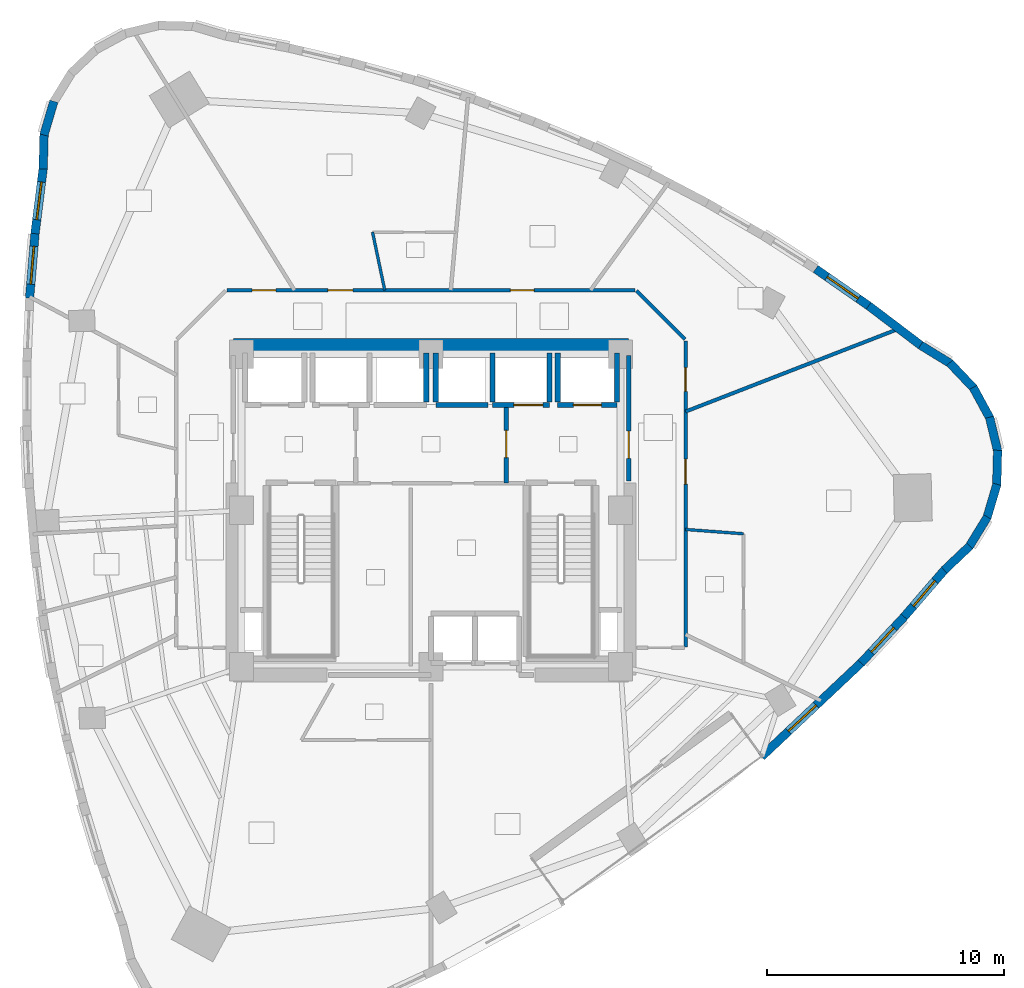
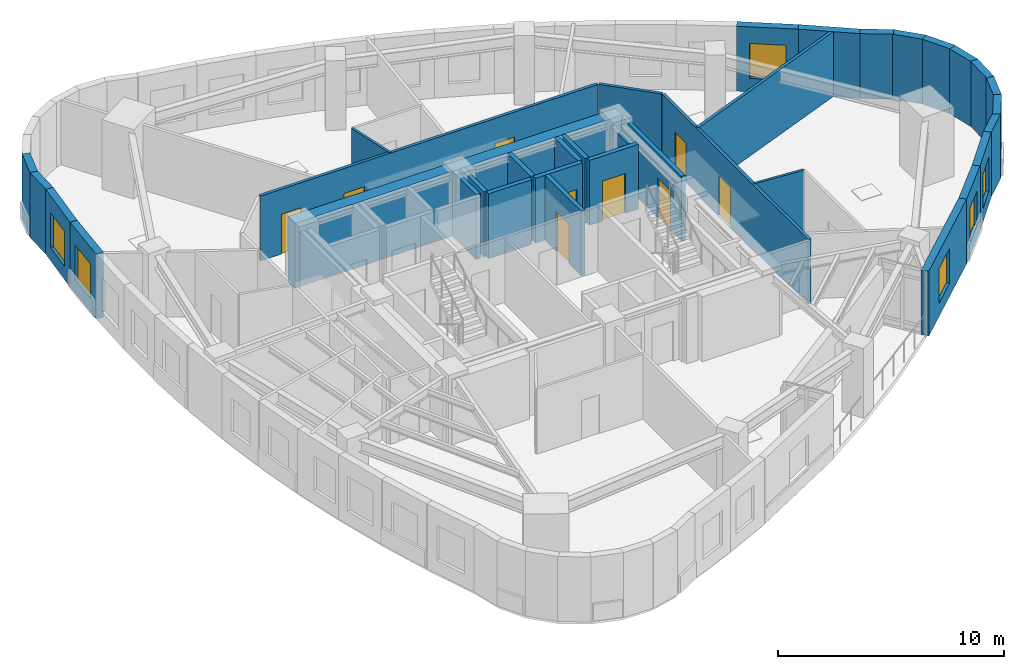
# One storey, part 7 of 11: 35 walls, 9 doors, 6 windows, 15 openings.
"""IFC4 building model written with IfcOpenShell, lengths in metres."""

import ifcopenshell
import ifcopenshell.guid

model = None  # the IFC model being written
_history = None  # IfcOwnerHistory: only IFC2X3 demands one
_inside = {}  # id of a spatial element -> (the spatial element, [elements in it])
_under = {}  # id of a project, library or spatial element -> (it, [spatial elements below it])
_declared = {}  # id of a project -> (the project, [libraries it declares])
_typed = {}  # id of a type object -> (the type object, [elements of that type])
_made_of = {}  # id of a material, layer set ... -> (it, [elements and type objects made of it])


def new_model(schema):
    """Start an empty IFC model of exactly this schema.

    Asked for "IFC4X3", IfcOpenShell would pick the latest addendum, in which some entities
    have other attributes; the version numbers below select the first issue.
    IFC2X3 requires an IfcOwnerHistory on every rooted entity: one is made here for all.
    """
    global model, _history
    if schema == "IFC4X3":
        model = ifcopenshell.file(schema_version=(4, 3, 0, 0))
    else:
        model = ifcopenshell.file(schema=schema)
    _inside.clear()
    _under.clear()
    _declared.clear()
    _typed.clear()
    _made_of.clear()
    _history = None
    if model.schema == "IFC2X3":
        org = make("IfcOrganization", Name="unknown")
        user = make(
            "IfcPersonAndOrganization",
            ThePerson=make("IfcPerson", FamilyName="unknown"),
            TheOrganization=org,
        )
        app = make(
            "IfcApplication",
            ApplicationDeveloper=org,
            Version="unknown",
            ApplicationFullName="unknown",
            ApplicationIdentifier="unknown",
        )
        _history = make(
            "IfcOwnerHistory",
            OwningUser=user,
            OwningApplication=app,
            ChangeAction="ADDED",
            CreationDate=0,
        )
    return model


def make(cls, **values):
    """One entity of the class cls with the attributes given. An attribute that is None is left unset."""
    return model.create_entity(
        cls, **{name: value for name, value in values.items() if value is not None}
    )


def rooted(cls, **values):
    """An entity with a GlobalId (a new one), such as an element, a storey or a relation."""
    return make(cls, GlobalId=ifcopenshell.guid.new(), OwnerHistory=_history, **values)


def si_unit(unit_type, name, prefix=None):
    """IfcSIUnit, for example si_unit("LENGTHUNIT", "METRE", prefix="MILLI")."""
    return make("IfcSIUnit", UnitType=unit_type, Prefix=prefix, Name=name)


def assignment(units):
    """IfcUnitAssignment: the units of a project."""
    return None if units is None else make("IfcUnitAssignment", Units=units)


def point(xyz):
    """IfcCartesianPoint."""
    return None if xyz is None else make("IfcCartesianPoint", Coordinates=xyz)


def direction(xyz):
    """IfcDirection."""
    return None if xyz is None else make("IfcDirection", DirectionRatios=xyz)


def frame(location, z_axis=None, x_axis=None):
    """IfcAxis2Placement3D, a coordinate frame: its origin and axes. An axis left out is left unset."""
    return make(
        "IfcAxis2Placement3D",
        Location=point(location),
        Axis=direction(z_axis),
        RefDirection=direction(x_axis),
    )


def frame_2d(location, x_axis=None):
    """IfcAxis2Placement2D, a coordinate frame in the plane: its origin and x axis."""
    return make(
        "IfcAxis2Placement2D", Location=point(location), RefDirection=direction(x_axis)
    )


def origin():
    """The frame at (0, 0, 0) with its axes left unset."""
    return frame((0.0, 0.0, 0.0))


def place(relative_to, where):
    """IfcLocalPlacement: puts the frame where relative to a parent placement (None: the world)."""
    return make(
        "IfcLocalPlacement", PlacementRelTo=relative_to, RelativePlacement=where
    )


def context(
    kind, dimensions, precision=None, world=None, true_north=None, identifier=None
):
    """IfcGeometricRepresentationContext, for example the 3D "Model" context."""
    return make(
        "IfcGeometricRepresentationContext",
        ContextIdentifier=identifier,
        ContextType=kind,
        CoordinateSpaceDimension=dimensions,
        Precision=precision,
        WorldCoordinateSystem=world,
        TrueNorth=true_north,
    )


def subcontext(parent, identifier, kind, view, scale=None):
    """IfcGeometricRepresentationSubContext, for example "Body" below "Model"."""
    return make(
        "IfcGeometricRepresentationSubContext",
        ContextIdentifier=identifier,
        ContextType=kind,
        ParentContext=parent,
        TargetScale=scale,
        TargetView=view,
    )


def project(units=None, contexts=None):
    """IfcProject with its units and contexts."""
    return rooted(
        "IfcProject",
        Name="project",
        RepresentationContexts=contexts,
        UnitsInContext=assignment(units),
    )


def spatial(cls, under=None, at=None, **own):
    """A site, building, storey or space (cls), placed at a placement, below another one or the project."""
    s = rooted(cls, ObjectPlacement=at, **own)
    if under is not None:
        _under.setdefault(under.id(), (under, []))[1].append(s)
    return s


def profile(cls, at=None, kind="AREA", **sizes):
    """A parametric profile (cls). Its sizes go by their IFC names, for example OverallWidth=200.0."""
    return make(cls, ProfileType=kind, Position=at, **sizes)


def rectangle(**sizes):
    """IfcRectangleProfileDef."""
    return profile("IfcRectangleProfileDef", **sizes)


def extrude(swept, where, along, depth):
    """IfcExtrudedAreaSolid: the profile swept, set in the frame where, extruded along a direction by depth."""
    return make(
        "IfcExtrudedAreaSolid",
        SweptArea=swept,
        Position=where,
        ExtrudedDirection=direction(along),
        Depth=depth,
    )


def shape(context_of_items, identifier, shape_type, items):
    """IfcShapeRepresentation: the items that make up one representation, for example the "Body"."""
    return make(
        "IfcShapeRepresentation",
        ContextOfItems=context_of_items,
        RepresentationIdentifier=identifier,
        RepresentationType=shape_type,
        Items=items,
    )


def material(Name=None, Category=None):
    """IfcMaterial."""
    return make("IfcMaterial", Name=Name, Category=Category)


def layer(
    of_material, thickness, ventilated=None, Name=None, Category=None, Priority=None
):
    """IfcMaterialLayer: one layer of a wall or slab, of a material (None: an air gap)."""
    return make(
        "IfcMaterialLayer",
        Material=of_material,
        LayerThickness=thickness,
        IsVentilated=ventilated,
        Name=Name,
        Category=Category,
        Priority=Priority,
    )


def layer_set(layers, Name=None):
    """IfcMaterialLayerSet."""
    return make("IfcMaterialLayerSet", MaterialLayers=layers, LayerSetName=Name)


def made_of(thing, what):
    """Note that an element or type object is made of a material, layer set ...; save() writes the relation."""
    if what is not None:
        _made_of.setdefault(what.id(), (what, []))[1].append(thing)
    return thing


def type_object(cls, material=None, **own):
    """A type object (cls), such as IfcWallType, which elements share."""
    return made_of(rooted(cls, **own), material)


def element(
    cls,
    number,
    at=None,
    inside=None,
    cuts=None,
    type_object=None,
    material=None,
    context=None,
    identifier="Body",
    shape_type=None,
    held_by="IfcProductDefinitionShape",
    body=None,
    shapes=None,
    **own,
):
    """One element of the class cls, such as IfcWall. Its Tag is "e" and its number.

    at: its placement. inside: the storey or other place that contains it. cuts: it is an
    opening in that element (IfcRelVoidsElement). A single representation is given by context,
    identifier, shape_type and body (its items); several are given by shapes. held_by: the class
    of the entity that holds the representations. save() writes the other relations.
    """
    e = rooted(cls, Tag="e%d" % number, ObjectPlacement=at, **own)
    if body is not None:
        shapes = [shape(context, identifier, shape_type, body)]
    if shapes is not None:
        e.Representation = make(held_by, Representations=shapes)
    if inside is not None:
        _inside.setdefault(inside.id(), (inside, []))[1].append(e)
    if cuts is not None:
        rooted(
            "IfcRelVoidsElement", RelatingBuildingElement=cuts, RelatedOpeningElement=e
        )
    if type_object is not None:
        _typed.setdefault(type_object.id(), (type_object, []))[1].append(e)
    return made_of(e, material)


def fill(opening, filler):
    """IfcRelFillsElement: the door or window that sits in an opening."""
    return rooted(
        "IfcRelFillsElement",
        RelatingOpeningElement=opening,
        RelatedBuildingElement=filler,
    )


def aggregate(whole, parts):
    """IfcRelAggregates: a whole, such as a stair, and the parts it consists of."""
    return rooted("IfcRelAggregates", RelatingObject=whole, RelatedObjects=parts)


def save(model, path):
    """Write the relations noted so far, then the file.

    IfcRelAggregates (storeys below a building ...), IfcRelContainedInSpatialStructure (elements
    in a storey), IfcRelDefinesByType, IfcRelAssociatesMaterial and IfcRelDeclares: one each for
    every whole, place, type object, material and project.
    """
    for whole, parts in _under.values():
        aggregate(whole, parts)
    for where, things in _inside.values():
        rooted(
            "IfcRelContainedInSpatialStructure",
            RelatedElements=things,
            RelatingStructure=where,
        )
    for kind, things in _typed.values():
        rooted("IfcRelDefinesByType", RelatedObjects=things, RelatingType=kind)
    for what, things in _made_of.values():
        rooted("IfcRelAssociatesMaterial", RelatedObjects=things, RelatingMaterial=what)
    for by, libraries in _declared.values():
        rooted("IfcRelDeclares", RelatingContext=by, RelatedDefinitions=libraries)
    model.write(path)


model = new_model("IFC4")

# Units and contexts
model_context = context("Model", 3, precision=1e-05, world=origin(), true_north=direction((0.0, 1.0)))
body_context = subcontext(model_context, "Body", "Model", "MODEL_VIEW")
ifc_project = project(units=[si_unit("LENGTHUNIT", "METRE"), si_unit("AREAUNIT", "SQUARE_METRE"), si_unit("VOLUMEUNIT", "CUBIC_METRE"), si_unit("PLANEANGLEUNIT", "RADIAN"), si_unit("MASSUNIT", "GRAM", prefix="KILO")], contexts=[model_context])

# Site, building, storey
site_placement = place(None, origin())
site = spatial("IfcSite", under=ifc_project, at=site_placement, CompositionType="ELEMENT")
building_placement = place(site_placement, origin())
building = spatial("IfcBuilding", under=site, at=building_placement, Name="Ndelora Gate Hotel", CompositionType="ELEMENT")
storey_placement = place(building_placement, frame((0.0, 0.0, 146.0)))
storey = spatial("IfcBuildingStorey", under=building, at=storey_placement, Name="L36", CompositionType="ELEMENT", Elevation=146.0)

# Walls
ifc_material_1 = material(Name="Clay Brick Masonry", Category="masonry")
ifc_layer_1 = layer(ifc_material_1, 0.360107421875)
ifc_layer_set_1 = layer_set([ifc_layer_1], Name="Clay Brick Masonry")
wall_type_1 = type_object("IfcWallType", Name="WL-BRICK-360", PredefinedType="SOLIDWALL", material=ifc_layer_set_1)
for number, where, z_axis, x_axis, name in (
    (1, (-16.348876953125, 15.85205078125, 0.0), (0.0, 0.0, 1.0), (0.283954048509, 0.958837889497, 0.0), "L36 Tower Brick Pier-and-Spandrel Wall TWR-7"),
    (2, (-16.380126953125, 14.415771484375, 0.0), (0.0, 0.0, 1.0), (0.026293717191, 0.99965426045, 0.0), "L36 Tower Brick Pier-and-Spandrel Wall TWR-8"),
):
    element("IfcWall", number, at=place(storey_placement, frame(where, z_axis=z_axis, x_axis=x_axis)), inside=storey, type_object=wall_type_1, Name=name, PredefinedType="SOLIDWALL", context=body_context, shape_type="SweptSolid", body=[
        extrude(rectangle(XDim=1.485595703125, YDim=0.360107421875, at=frame_2d((0.74267578125, 0.0))), origin(), (0.0, 0.0, 1.0), 3.5),
    ])

# Wall, opening, window
wall_1_placement = place(storey_placement, frame((-16.725341796875, 11.686279296875, 0.0), z_axis=(0.0, 0.0, 1.0), x_axis=(0.124635429152, 0.992202605217, 0.0)))
wall_1 = element("IfcWall", 3, at=wall_1_placement, inside=storey, type_object=wall_type_1, Name="L36 Tower Brick Pier-and-Spandrel Wall TWR-9", PredefinedType="SOLIDWALL", context=body_context, shape_type="SweptSolid", body=[
    extrude(rectangle(XDim=2.801025390625, YDim=0.360107421875, at=frame_2d((1.400390625, 0.0))), origin(), (0.0, 0.0, 1.0), 3.5),
])
opening_1_placement = place(wall_1_placement, frame((0.6005859375, 0.0, 0.719970703125)))
opening_1 = element("IfcOpeningElement", 4, at=opening_1_placement, cuts=wall_1, Name="Opening W03", PredefinedType="OPENING", context=body_context, shape_type="SweptSolid", body=[
    extrude(rectangle(XDim=1.60009765625, YDim=1.8798828125, at=frame_2d((0.800048828125, 0.93994140625))), frame((0.0, 0.18994140625, 0.0), z_axis=(0.0, -1.0, 0.0), x_axis=(1.0, 0.0, 0.0)), (0.0, 0.0, 1.0), 0.380126953125),
])
ifc_material_2 = material(Name="Insulated Low-E Double Glazing in Bronze Aluminium Frame", Category="aluminium")
window_type_1 = type_object("IfcWindowType", Name="WN-CORN-2100", PartitioningType="SINGLE_PANEL", PredefinedType="WINDOW", material=ifc_material_2)
window_1_placement = place(opening_1_placement, origin())
window_1 = element("IfcWindow", 5, at=window_1_placement, inside=storey, type_object=window_type_1, Name="L36 Deep-Set Brick-Pier Window W03", OverallHeight=1.8798828125, OverallWidth=1.60009765625, PartitioningType="SINGLE_PANEL", PredefinedType="WINDOW", context=body_context, shape_type="SweptSolid", body=[
    extrude(rectangle(XDim=1.60009765625, YDim=1.8798828125, at=frame_2d((0.800048828125, 0.93994140625))), frame((0.0, 0.030029296875, 0.0), z_axis=(0.0, -1.0, 0.0), x_axis=(1.0, 0.0, 0.0)), (0.0, 0.0, 1.0), 0.06005859375),
])
fill(opening_1, window_1)

wall_2_placement = place(storey_placement, frame((-16.9541015625, 8.96826171875, 0.0), z_axis=(0.0, 0.0, 1.0), x_axis=(0.084209356436, 0.996448084091, 0.0)))
wall_2 = element("IfcWall", 6, at=wall_2_placement, inside=storey, type_object=wall_type_1, Name="L36 Tower Brick Pier-and-Spandrel Wall TWR-10", PredefinedType="SOLIDWALL", context=body_context, shape_type="SweptSolid", body=[
    extrude(rectangle(XDim=2.77734375, YDim=0.360107421875, at=frame_2d((1.388671875, 0.0))), origin(), (0.0, 0.0, 1.0), 3.5),
])
opening_2_placement = place(wall_2_placement, frame((0.5888671875, 0.0, 0.719970703125)))
opening_2 = element("IfcOpeningElement", 7, at=opening_2_placement, cuts=wall_2, Name="Opening W01", PredefinedType="OPENING", context=body_context, shape_type="SweptSolid", body=[
    extrude(rectangle(XDim=1.60009765625, YDim=1.8798828125, at=frame_2d((0.800048828125, 0.93994140625))), frame((0.0, 0.18994140625, 0.0), z_axis=(0.0, -1.0, 0.0), x_axis=(1.0, 0.0, 0.0)), (0.0, 0.0, 1.0), 0.380126953125),
])
window_type_2 = type_object("IfcWindowType", Name="WN-DEEP-1600", PartitioningType="SINGLE_PANEL", PredefinedType="WINDOW", material=ifc_material_2)
window_2_placement = place(opening_2_placement, origin())
window_2 = element("IfcWindow", 8, at=window_2_placement, inside=storey, type_object=window_type_2, Name="L36 Deep-Set Brick-Pier Window W01", OverallHeight=1.8798828125, OverallWidth=1.60009765625, PartitioningType="SINGLE_PANEL", PredefinedType="WINDOW", context=body_context, shape_type="SweptSolid", body=[
    extrude(rectangle(XDim=1.60009765625, YDim=1.8798828125, at=frame_2d((0.800048828125, 0.93994140625))), frame((0.0, 0.030029296875, 0.0), z_axis=(0.0, -1.0, 0.0), x_axis=(1.0, 0.0, 0.0)), (0.0, 0.0, 1.0), 0.06005859375),
])
fill(opening_2, window_2)

wall_3_placement = place(storey_placement, frame((18.1962890625, -6.4072265625, 0.0), z_axis=(0.0, 0.0, 1.0), x_axis=(-0.727867791097, -0.685717491889, 0.0)))
wall_3 = element("IfcWall", 9, at=wall_3_placement, inside=storey, type_object=wall_type_1, Name="L36 Tower Brick Pier-and-Spandrel Wall TWR-36", PredefinedType="SOLIDWALL", context=body_context, shape_type="SweptSolid", body=[
    extrude(rectangle(XDim=5.826904296875, YDim=0.360107421875, at=frame_2d((2.91357421875, 0.0))), origin(), (0.0, 0.0, 1.0), 3.5),
])
opening_3_placement = place(wall_3_placement, frame((2.659912109375, 0.0, 0.719970703125)))
opening_3 = element("IfcOpeningElement", 10, at=opening_3_placement, cuts=wall_3, Name="Opening W01", PredefinedType="OPENING", context=body_context, shape_type="SweptSolid", body=[
    extrude(rectangle(XDim=1.60009765625, YDim=1.8798828125, at=frame_2d((0.800048828125, 0.93994140625))), frame((0.0, 0.18994140625, 0.0), z_axis=(0.0, -1.0, 0.0), x_axis=(1.0, 0.0, 0.0)), (0.0, 0.0, 1.0), 0.380126953125),
])
window_3_placement = place(opening_3_placement, origin())
window_3 = element("IfcWindow", 11, at=window_3_placement, inside=storey, type_object=window_type_2, Name="L36 Deep-Set Brick-Pier Window W01", OverallHeight=1.8798828125, OverallWidth=1.60009765625, PartitioningType="SINGLE_PANEL", PredefinedType="WINDOW", context=body_context, shape_type="SweptSolid", body=[
    extrude(rectangle(XDim=1.60009765625, YDim=1.8798828125, at=frame_2d((0.800048828125, 0.93994140625))), frame((0.0, 0.030029296875, 0.0), z_axis=(0.0, -1.0, 0.0), x_axis=(1.0, 0.0, 0.0)), (0.0, 0.0, 1.0), 0.06005859375),
])
fill(opening_3, window_3)

wall_4_placement = place(storey_placement, frame((19.982666015625, -4.4912109375, 0.0), z_axis=(0.0, 0.0, 1.0), x_axis=(-0.682409479106, -0.730970110761, 0.0)))
wall_4 = element("IfcWall", 12, at=wall_4_placement, inside=storey, type_object=wall_type_1, Name="L36 Tower Brick Pier-and-Spandrel Wall TWR-37", PredefinedType="SOLIDWALL", context=body_context, shape_type="SweptSolid", body=[
    extrude(rectangle(XDim=2.669677734375, YDim=0.360107421875, at=frame_2d((1.3349609375, 0.0))), origin(), (0.0, 0.0, 1.0), 3.5),
])
opening_4_placement = place(wall_4_placement, frame((0.634765625, 0.0, 0.719970703125)))
opening_4 = element("IfcOpeningElement", 13, at=opening_4_placement, cuts=wall_4, Name="Opening W02", PredefinedType="OPENING", context=body_context, shape_type="SweptSolid", body=[
    extrude(rectangle(XDim=1.39990234375, YDim=1.840087890625, at=frame_2d((0.699951171875, 0.919921875))), frame((0.0, 0.18994140625, 0.0), z_axis=(0.0, -1.0, 0.0), x_axis=(1.0, 0.0, 0.0)), (0.0, 0.0, 1.0), 0.380126953125),
])
window_type_3 = type_object("IfcWindowType", Name="WN-DEEP-1400", PartitioningType="SINGLE_PANEL", PredefinedType="WINDOW", material=ifc_material_2)
window_4_placement = place(opening_4_placement, origin())
window_4 = element("IfcWindow", 14, at=window_4_placement, inside=storey, type_object=window_type_3, Name="L36 Deep-Set Brick-Pier Window W02", OverallHeight=1.840087890625, OverallWidth=1.39990234375, PartitioningType="SINGLE_PANEL", PredefinedType="WINDOW", context=body_context, shape_type="SweptSolid", body=[
    extrude(rectangle(XDim=1.39990234375, YDim=1.840087890625, at=frame_2d((0.699951171875, 0.919921875))), frame((0.0, 0.030029296875, 0.0), z_axis=(0.0, -1.0, 0.0), x_axis=(1.0, 0.0, 0.0)), (0.0, 0.0, 1.0), 0.06005859375),
])
fill(opening_4, window_4)

wall_5_placement = place(storey_placement, frame((21.707763671875, -2.490478515625, 0.0), z_axis=(0.0, 0.0, 1.0), x_axis=(-0.653319915085, -0.757081956299, 0.0)))
wall_5 = element("IfcWall", 15, at=wall_5_placement, inside=storey, type_object=wall_type_1, Name="L36 Tower Brick Pier-and-Spandrel Wall TWR-38", PredefinedType="SOLIDWALL", context=body_context, shape_type="SweptSolid", body=[
    extrude(rectangle(XDim=2.691650390625, YDim=0.360107421875, at=frame_2d((1.345703125, 0.0))), origin(), (0.0, 0.0, 1.0), 3.5),
])
opening_5_placement = place(wall_5_placement, frame((0.645751953125, 0.0, 0.719970703125)))
opening_5 = element("IfcOpeningElement", 16, at=opening_5_placement, cuts=wall_5, Name="Opening W02", PredefinedType="OPENING", context=body_context, shape_type="SweptSolid", body=[
    extrude(rectangle(XDim=1.39990234375, YDim=1.840087890625, at=frame_2d((0.699951171875, 0.919921875))), frame((0.0, 0.18994140625, 0.0), z_axis=(0.0, -1.0, 0.0), x_axis=(1.0, 0.0, 0.0)), (0.0, 0.0, 1.0), 0.380126953125),
])
window_5_placement = place(opening_5_placement, origin())
window_5 = element("IfcWindow", 17, at=window_5_placement, inside=storey, type_object=window_type_3, Name="L36 Deep-Set Brick-Pier Window W02", OverallHeight=1.840087890625, OverallWidth=1.39990234375, PartitioningType="SINGLE_PANEL", PredefinedType="WINDOW", context=body_context, shape_type="SweptSolid", body=[
    extrude(rectangle(XDim=1.39990234375, YDim=1.840087890625, at=frame_2d((0.699951171875, 0.919921875))), frame((0.0, 0.030029296875, 0.0), z_axis=(0.0, -1.0, 0.0), x_axis=(1.0, 0.0, 0.0)), (0.0, 0.0, 1.0), 0.06005859375),
])
fill(opening_5, window_5)

# Walls
for number, where, z_axis, x_axis, name in (
    (18, (22.751220703125, -1.50390625, 0.0), (0.0, 0.0, 1.0), (-0.725430039612, -0.688295908479, 0.0), "L36 Tower Brick Pier-and-Spandrel Wall TWR-39"),
    (19, (23.496337890625, -0.275634765625, 0.0), (0.0, 0.0, 1.0), (-0.522519673624, -0.852627228439, 0.0), "L36 Tower Brick Pier-and-Spandrel Wall TWR-40"),
    (20, (23.89794921875, 1.103759765625, 0.0), (0.0, 0.0, 1.0), (-0.283909315084, -0.958851135896, 0.0), "L36 Tower Brick Pier-and-Spandrel Wall TWR-41"),
    (21, (23.92919921875, 2.5400390625, 0.0), (0.0, 0.0, 1.0), (-0.026289398397, -0.999654374037, 0.0), "L36 Tower Brick Pier-and-Spandrel Wall TWR-42"),
):
    element("IfcWall", number, at=place(storey_placement, frame(where, z_axis=z_axis, x_axis=x_axis)), inside=storey, type_object=wall_type_1, Name=name, PredefinedType="SOLIDWALL", context=body_context, shape_type="SweptSolid", body=[
        extrude(rectangle(XDim=1.48583984375, YDim=0.360107421875, at=frame_2d((0.742919921875, 0.0))), origin(), (0.0, 0.0, 1.0), 3.5),
    ])
for number, where, z_axis, x_axis, name in (
    (22, (23.587646484375, 3.935302734375, 0.0), (0.0, 0.0, 1.0), (0.233360521413, -0.972390285352, 0.0), "L36 Tower Brick Pier-and-Spandrel Wall TWR-43"),
    (23, (22.896484375, 5.19482421875, 0.0), (0.0, 0.0, 1.0), (0.477066476677, -0.878867212286, 0.0), "L36 Tower Brick Pier-and-Spandrel Wall TWR-44"),
):
    element("IfcWall", number, at=place(storey_placement, frame(where, z_axis=z_axis, x_axis=x_axis)), inside=storey, type_object=wall_type_1, Name=name, PredefinedType="SOLIDWALL", context=body_context, shape_type="SweptSolid", body=[
        extrude(rectangle(XDim=1.485595703125, YDim=0.360107421875, at=frame_2d((0.74267578125, 0.0))), origin(), (0.0, 0.0, 1.0), 3.5),
    ])
for number, where, z_axis, x_axis, name in (
    (24, (21.902587890625, 6.232421875, 0.0), (0.0, 0.0, 1.0), (0.688464400899, -0.725270134981, 0.0), "L36 Tower Brick Pier-and-Spandrel Wall TWR-45"),
    (25, (20.67431640625, 6.977783203125, 0.0), (0.0, 0.0, 1.0), (0.852627228439, -0.522519673624, 0.0), "L36 Tower Brick Pier-and-Spandrel Wall TWR-46"),
):
    element("IfcWall", number, at=place(storey_placement, frame(where, z_axis=z_axis, x_axis=x_axis)), inside=storey, type_object=wall_type_1, Name=name, PredefinedType="SOLIDWALL", context=body_context, shape_type="SweptSolid", body=[
        extrude(rectangle(XDim=1.48583984375, YDim=0.360107421875, at=frame_2d((0.742919921875, 0.0))), origin(), (0.0, 0.0, 1.0), 3.5),
    ])
wall_6_placement = place(storey_placement, frame((18.483154296875, 8.6416015625, 0.0), z_axis=(0.0, 0.0, 1.0), x_axis=(0.796935762967, -0.604064060928, 0.0)))
element("IfcWall", 26, at=wall_6_placement, inside=storey, type_object=wall_type_1, Name="L36 Tower Brick Pier-and-Spandrel Wall TWR-47", PredefinedType="SOLIDWALL", context=body_context, shape_type="SweptSolid", body=[
    extrude(rectangle(XDim=2.80126953125, YDim=0.360107421875, at=frame_2d((1.400634765625, 0.0))), origin(), (0.0, 0.0, 1.0), 3.5),
])

# Wall, opening, window
wall_7_placement = place(storey_placement, frame((16.24365234375, 10.198486328125, 0.0), z_axis=(0.0, 0.0, 1.0), x_axis=(0.820851453433, -0.5711417437, 0.0)))
wall_7 = element("IfcWall", 27, at=wall_7_placement, inside=storey, type_object=wall_type_1, Name="L36 Tower Brick Pier-and-Spandrel Wall TWR-48", PredefinedType="SOLIDWALL", context=body_context, shape_type="SweptSolid", body=[
    extrude(rectangle(XDim=2.777587890625, YDim=0.360107421875, at=frame_2d((1.388671875, 0.0))), origin(), (0.0, 0.0, 1.0), 3.5),
])
opening_6_placement = place(wall_7_placement, frame((0.5888671875, 0.0, 0.719970703125)))
opening_6 = element("IfcOpeningElement", 28, at=opening_6_placement, cuts=wall_7, Name="Opening W01", PredefinedType="OPENING", context=body_context, shape_type="SweptSolid", body=[
    extrude(rectangle(XDim=1.60009765625, YDim=1.8798828125, at=frame_2d((0.800048828125, 0.93994140625))), frame((0.0, 0.18994140625, 0.0), z_axis=(0.0, -1.0, 0.0), x_axis=(1.0, 0.0, 0.0)), (0.0, 0.0, 1.0), 0.380126953125),
])
window_6_placement = place(opening_6_placement, origin())
window_6 = element("IfcWindow", 29, at=window_6_placement, inside=storey, type_object=window_type_2, Name="L36 Deep-Set Brick-Pier Window W01", OverallHeight=1.8798828125, OverallWidth=1.60009765625, PartitioningType="SINGLE_PANEL", PredefinedType="WINDOW", context=body_context, shape_type="SweptSolid", body=[
    extrude(rectangle(XDim=1.60009765625, YDim=1.8798828125, at=frame_2d((0.800048828125, 0.93994140625))), frame((0.0, 0.030029296875, 0.0), z_axis=(0.0, -1.0, 0.0), x_axis=(1.0, 0.0, 0.0)), (0.0, 0.0, 1.0), 0.06005859375),
])
fill(opening_6, window_6)

# Wall
ifc_material_3 = material(Name="Concrete C60/75", Category="concrete")
ifc_layer_2 = layer(ifc_material_3, 0.60009765625)
ifc_layer_set_2 = layer_set([ifc_layer_2], Name="Concrete C60/75")
wall_type_2 = type_object("IfcWallType", Name="WL-CORE-600", PredefinedType="SHEAR", material=ifc_layer_set_2)
wall_8_placement = place(storey_placement, frame((-8.35009765625, 6.949951171875, 0.0), z_axis=(0.0, 0.0, 1.0), x_axis=(1.0, 0.0, 0.0)))
element("IfcWall", 30, at=wall_8_placement, inside=storey, type_object=wall_type_2, Name="L36 Core Shear Wall N", PredefinedType="SHEAR", context=body_context, shape_type="SweptSolid", body=[
    extrude(rectangle(XDim=16.7001953125, YDim=0.60009765625, at=frame_2d((8.35009765625, 0.0))), origin(), (0.0, 0.0, 1.0), 3.5),
])

# Wall, opening, door
ifc_material_4 = material(Name="Concrete C40/50", Category="concrete")
ifc_layer_3 = layer(ifc_material_4, 0.199951171875)
ifc_layer_set_3 = layer_set([ifc_layer_3], Name="Concrete C40/50")
wall_type_3 = type_object("IfcWallType", Name="WL-FIRE-200", PredefinedType="PARTITIONING", material=ifc_layer_set_3)
wall_9_placement = place(storey_placement, frame((3.179931640625, 1.14990234375, 0.0), z_axis=(0.0, 0.0, 1.0), x_axis=(0.0, 1.0, 0.0)))
wall_9 = element("IfcWall", 31, at=wall_9_placement, inside=storey, type_object=wall_type_3, Name="L36 Interior Wall IW-2", PredefinedType="PARTITIONING", context=body_context, shape_type="SweptSolid", body=[
    extrude(rectangle(XDim=3.300048828125, YDim=0.199951171875, at=frame_2d((1.64990234375, 0.0))), origin(), (0.0, 0.0, 1.0), 3.5),
])
opening_7_placement = place(wall_9_placement, frame((1.080078125, 0.0, 0.0)))
opening_7 = element("IfcOpeningElement", 32, at=opening_7_placement, cuts=wall_9, Name="Opening FD1", PredefinedType="OPENING", context=body_context, shape_type="SweptSolid", body=[
    extrude(rectangle(XDim=1.14990234375, YDim=2.14990234375, at=frame_2d((0.574951171875, 1.074951171875))), frame((0.0, 0.10986328125, 0.0), z_axis=(0.0, -1.0, 0.0), x_axis=(1.0, 0.0, 0.0)), (0.0, 0.0, 1.0), 0.219970703125),
])
ifc_material_5 = material(Name="Fire-Rated Timber-Veneer Steel Core", Category="steel")
door_type_1 = type_object("IfcDoorType", Name="DR-FD60", OperationType="SINGLE_SWING_LEFT", PredefinedType="DOOR", material=ifc_material_5)
door_1_placement = place(opening_7_placement, origin())
door_1 = element("IfcDoor", 33, at=door_1_placement, inside=storey, type_object=door_type_1, Name="L36 Firefighting Lobby East Door", OperationType="SINGLE_SWING_LEFT", OverallHeight=2.14990234375, OverallWidth=1.14990234375, PredefinedType="DOOR", context=body_context, shape_type="SweptSolid", body=[
    extrude(rectangle(XDim=1.14990234375, YDim=2.14990234375, at=frame_2d((0.574951171875, 1.074951171875))), frame((0.0, 0.02490234375, 0.0), z_axis=(0.0, -1.0, 0.0), x_axis=(1.0, 0.0, 0.0)), (0.0, 0.0, 1.0), 0.050048828125),
])
fill(opening_7, door_1)

wall_10_placement = place(storey_placement, frame((8.35009765625, 1.25, 0.0), z_axis=(0.0, 0.0, 1.0), x_axis=(0.0, 1.0, 0.0)))
wall_10 = element("IfcWall", 34, at=wall_10_placement, inside=storey, type_object=wall_type_3, Name="L36 Interior Wall IW-2", PredefinedType="PARTITIONING", context=body_context, shape_type="SweptSolid", body=[
    extrude(rectangle(XDim=5.300048828125, YDim=0.199951171875, at=frame_2d((2.64990234375, 0.0))), origin(), (0.0, 0.0, 1.0), 3.5),
])
opening_8_placement = place(wall_10_placement, frame((0.949951171875, 0.0, 0.0)))
opening_8 = element("IfcOpeningElement", 35, at=opening_8_placement, cuts=wall_10, Name="Opening FD1", PredefinedType="OPENING", context=body_context, shape_type="SweptSolid", body=[
    extrude(rectangle(XDim=1.14990234375, YDim=2.14990234375, at=frame_2d((0.574951171875, 1.074951171875))), frame((0.0, 0.10986328125, 0.0), z_axis=(0.0, -1.0, 0.0), x_axis=(1.0, 0.0, 0.0)), (0.0, 0.0, 1.0), 0.219970703125),
])
door_2_placement = place(opening_8_placement, origin())
door_2 = element("IfcDoor", 36, at=door_2_placement, inside=storey, type_object=door_type_1, Name="L36 Firefighting Lobby East Corridor Door", OperationType="SINGLE_SWING_RIGHT", OverallHeight=2.14990234375, OverallWidth=1.14990234375, PredefinedType="DOOR", context=body_context, shape_type="SweptSolid", body=[
    extrude(rectangle(XDim=1.14990234375, YDim=2.14990234375, at=frame_2d((0.574951171875, 1.074951171875))), frame((0.0, 0.02490234375, 0.0), z_axis=(0.0, -1.0, 0.0), x_axis=(1.0, 0.0, 0.0)), (0.0, 0.0, 1.0), 0.050048828125),
])
fill(opening_8, door_2)

# Wall, openings, doors
ifc_material_6 = material(Name="Fire-Rated Gypsum Stud Partition", Category="gypsum")
ifc_layer_4 = layer(ifc_material_6, 0.14990234375)
ifc_layer_set_4 = layer_set([ifc_layer_4], Name="Fire-Rated Gypsum Stud Partition")
wall_type_4 = type_object("IfcWallType", Name="WL-PART-150", PredefinedType="PARTITIONING", material=ifc_layer_set_4)
wall_11_placement = place(storey_placement, frame((10.75, 7.159912109375, 0.0), z_axis=(0.0, 0.0, 1.0), x_axis=(0.0, -1.0, 0.0)))
wall_11 = element("IfcWall", 37, at=wall_11_placement, inside=storey, type_object=wall_type_4, Name="L36 Interior Wall IW-5", PredefinedType="PARTITIONING", context=body_context, shape_type="SweptSolid", body=[
    extrude(rectangle(XDim=12.919921875, YDim=0.14990234375, at=frame_2d((6.4599609375, 0.0))), origin(), (0.0, 0.0, 1.0), 3.5),
])
opening_9_placement = place(wall_11_placement, frame((1.1328125, 0.0, 0.0)))
opening_9 = element("IfcOpeningElement", 38, at=opening_9_placement, cuts=wall_11, Name="Opening D01", PredefinedType="OPENING", context=body_context, shape_type="SweptSolid", body=[
    extrude(rectangle(XDim=1.0, YDim=2.14990234375, at=frame_2d((0.5, 1.074951171875))), frame((0.0, 0.0849609375, 0.0), z_axis=(0.0, -1.0, 0.0), x_axis=(1.0, 0.0, 0.0)), (0.0, 0.0, 1.0), 0.169921875),
])
opening_10_placement = place(wall_11_placement, frame((4.989013671875, 0.0, 0.0)))
opening_10 = element("IfcOpeningElement", 39, at=opening_10_placement, cuts=wall_11, Name="Opening D07", PredefinedType="OPENING", context=body_context, shape_type="SweptSolid", body=[
    extrude(rectangle(XDim=1.06005859375, YDim=2.14990234375, at=frame_2d((0.530029296875, 1.074951171875))), frame((0.0, 0.0849609375, 0.0), z_axis=(0.0, -1.0, 0.0), x_axis=(1.0, 0.0, 0.0)), (0.0, 0.0, 1.0), 0.169921875),
])
ifc_material_7 = material(Name="Acoustic Hardwood Guest Entrance Door", Category="wood")
door_type_2 = type_object("IfcDoorType", Name="DR-COR-1000", OperationType="SINGLE_SWING_LEFT", PredefinedType="DOOR", material=ifc_material_7)
door_3_placement = place(opening_9_placement, origin())
door_3 = element("IfcDoor", 40, at=door_3_placement, inside=storey, type_object=door_type_2, Name="L36 Club Fitness Gym Entrance Door", OperationType="SINGLE_SWING_RIGHT", OverallHeight=2.14990234375, OverallWidth=1.0, PredefinedType="DOOR", context=body_context, shape_type="SweptSolid", body=[
    extrude(rectangle(XDim=1.0, YDim=2.14990234375, at=frame_2d((0.5, 1.074951171875))), frame((0.0, 0.02490234375, 0.0), z_axis=(0.0, -1.0, 0.0), x_axis=(1.0, 0.0, 0.0)), (0.0, 0.0, 1.0), 0.050048828125),
])
fill(opening_9, door_3)
ifc_material_8 = material(Name="Diplomatic Suite Acoustic Entrance Door", Category="wood")
door_type_3 = type_object("IfcDoorType", Name="DR-SUITE-1060", OperationType="SINGLE_SWING_LEFT", PredefinedType="DOOR", material=ifc_material_8)
door_4_placement = place(opening_10_placement, origin())
door_4 = element("IfcDoor", 41, at=door_4_placement, inside=storey, type_object=door_type_3, Name="L36 Diplomatic Reception Suite 3902 Entrance Door", OperationType="SINGLE_SWING_RIGHT", OverallHeight=2.14990234375, OverallWidth=1.06005859375, PredefinedType="DOOR", context=body_context, shape_type="SweptSolid", body=[
    extrude(rectangle(XDim=1.06005859375, YDim=2.14990234375, at=frame_2d((0.530029296875, 1.074951171875))), frame((0.0, 0.02490234375, 0.0), z_axis=(0.0, -1.0, 0.0), x_axis=(1.0, 0.0, 0.0)), (0.0, 0.0, 1.0), 0.050048828125),
])
fill(opening_10, door_4)

# Wall
wall_12_placement = place(storey_placement, frame((8.67822265625, 9.271728515625, 0.0), z_axis=(0.0, 0.0, 1.0), x_axis=(0.707106781187, -0.707106781187, 0.0)))
element("IfcWall", 42, at=wall_12_placement, inside=storey, type_object=wall_type_4, Name="L36 Interior Wall IW-5", PredefinedType="PARTITIONING", context=body_context, shape_type="SweptSolid", body=[
    extrude(rectangle(XDim=2.889892578125, YDim=0.14990234375, at=frame_2d((1.44482421875, 0.0))), origin(), (0.0, 0.0, 1.0), 3.5),
])

# Wall, openings, doors
wall_13_placement = place(storey_placement, frame((-8.610107421875, 9.300048828125, 0.0), z_axis=(0.0, 0.0, 1.0), x_axis=(1.0, 0.0, 0.0)))
wall_13 = element("IfcWall", 43, at=wall_13_placement, inside=storey, type_object=wall_type_4, Name="L36 Interior Wall IW-5", PredefinedType="PARTITIONING", context=body_context, shape_type="SweptSolid", body=[
    extrude(rectangle(XDim=17.22021484375, YDim=0.14990234375, at=frame_2d((8.610107421875, 0.0))), origin(), (0.0, 0.0, 1.0), 3.5),
])
opening_11_placement = place(wall_13_placement, frame((11.96630859375, 0.0, 0.0)))
opening_11 = element("IfcOpeningElement", 44, at=opening_11_placement, cuts=wall_13, Name="Opening D01", PredefinedType="OPENING", context=body_context, shape_type="SweptSolid", body=[
    extrude(rectangle(XDim=1.0, YDim=2.14990234375, at=frame_2d((0.5, 1.074951171875))), frame((0.0, 0.0849609375, 0.0), z_axis=(0.0, -1.0, 0.0), x_axis=(1.0, 0.0, 0.0)), (0.0, 0.0, 1.0), 0.169921875),
])
opening_12_placement = place(wall_13_placement, frame((1.05908203125, 0.0, 0.0)))
opening_12 = element("IfcOpeningElement", 45, at=opening_12_placement, cuts=wall_13, Name="Opening D01", PredefinedType="OPENING", context=body_context, shape_type="SweptSolid", body=[
    extrude(rectangle(XDim=1.0, YDim=2.14990234375, at=frame_2d((0.5, 1.074951171875))), frame((0.0, 0.0849609375, 0.0), z_axis=(0.0, -1.0, 0.0), x_axis=(1.0, 0.0, 0.0)), (0.0, 0.0, 1.0), 0.169921875),
])
opening_13_placement = place(wall_13_placement, frame((4.25244140625, 0.0, 0.0)))
opening_13 = element("IfcOpeningElement", 46, at=opening_13_placement, cuts=wall_13, Name="Opening D07", PredefinedType="OPENING", context=body_context, shape_type="SweptSolid", body=[
    extrude(rectangle(XDim=1.06005859375, YDim=2.14990234375, at=frame_2d((0.530029296875, 1.074951171875))), frame((0.0, 0.0849609375, 0.0), z_axis=(0.0, -1.0, 0.0), x_axis=(1.0, 0.0, 0.0)), (0.0, 0.0, 1.0), 0.169921875),
])
door_5_placement = place(opening_11_placement, origin())
door_5 = element("IfcDoor", 47, at=door_5_placement, inside=storey, type_object=door_type_2, Name="L36 Wellness Yoga Studio Entrance Door", OperationType="SINGLE_SWING_LEFT", OverallHeight=2.14990234375, OverallWidth=1.0, PredefinedType="DOOR", context=body_context, shape_type="SweptSolid", body=[
    extrude(rectangle(XDim=1.0, YDim=2.14990234375, at=frame_2d((0.5, 1.074951171875))), frame((0.0, 0.02490234375, 0.0), z_axis=(0.0, -1.0, 0.0), x_axis=(1.0, 0.0, 0.0)), (0.0, 0.0, 1.0), 0.050048828125),
])
fill(opening_11, door_5)
door_6_placement = place(opening_12_placement, origin())
door_6 = element("IfcDoor", 48, at=door_6_placement, inside=storey, type_object=door_type_2, Name="L36 Boutique Travel Shop Entrance Door", OperationType="SINGLE_SWING_LEFT", OverallHeight=2.14990234375, OverallWidth=1.0, PredefinedType="DOOR", context=body_context, shape_type="SweptSolid", body=[
    extrude(rectangle(XDim=1.0, YDim=2.14990234375, at=frame_2d((0.5, 1.074951171875))), frame((0.0, 0.02490234375, 0.0), z_axis=(0.0, -1.0, 0.0), x_axis=(1.0, 0.0, 0.0)), (0.0, 0.0, 1.0), 0.050048828125),
])
fill(opening_12, door_6)
door_7_placement = place(opening_13_placement, origin())
door_7 = element("IfcDoor", 49, at=door_7_placement, inside=storey, type_object=door_type_3, Name="L36 South Horizon Suite 3903 Entrance Door", OperationType="SINGLE_SWING_RIGHT", OverallHeight=2.14990234375, OverallWidth=1.06005859375, PredefinedType="DOOR", context=body_context, shape_type="SweptSolid", body=[
    extrude(rectangle(XDim=1.06005859375, YDim=2.14990234375, at=frame_2d((0.530029296875, 1.074951171875))), frame((0.0, 0.02490234375, 0.0), z_axis=(0.0, -1.0, 0.0), x_axis=(1.0, 0.0, 0.0)), (0.0, 0.0, 1.0), 0.050048828125),
])
fill(opening_13, door_7)

# Wall
wall_14_placement = place(storey_placement, frame((10.75, 4.17431640625, 0.0), z_axis=(0.0, 0.0, 1.0), x_axis=(0.932193195681, 0.361961111068, 0.0)))
element("IfcWall", 50, at=wall_14_placement, inside=storey, type_object=wall_type_4, Name="L36 Interior Wall IW-5", PredefinedType="PARTITIONING", context=body_context, shape_type="SweptSolid", body=[
    extrude(rectangle(XDim=9.666259765625, YDim=0.14990234375, at=frame_2d((4.8330078125, 0.0))), origin(), (0.0, 0.0, 1.0), 3.5),
])

# Wall, opening, door
ifc_layer_5 = layer(ifc_material_4, 0.219970703125)
ifc_layer_set_5 = layer_set([ifc_layer_5], Name="Concrete C40/50")
wall_type_5 = type_object("IfcWallType", Name="WL-SHAFT-220", PredefinedType="PARTITIONING", material=ifc_layer_set_5)
wall_15_placement = place(storey_placement, frame((5.35009765625, 4.449951171875, 0.0), z_axis=(0.0, 0.0, 1.0), x_axis=(1.0, 0.0, 0.0)))
wall_15 = element("IfcWall", 51, at=wall_15_placement, inside=storey, type_object=wall_type_5, Name="L36 Interior Wall IW-1", PredefinedType="PARTITIONING", context=body_context, shape_type="SweptSolid", body=[
    extrude(rectangle(XDim=2.5, YDim=0.219970703125, at=frame_2d((1.25, 0.0))), origin(), (0.0, 0.0, 1.0), 3.5),
])
opening_14_placement = place(wall_15_placement, frame((0.659912109375, 0.0, 0.0)))
opening_14 = element("IfcOpeningElement", 52, at=opening_14_placement, cuts=wall_15, Name="Opening LD5", PredefinedType="OPENING", context=body_context, shape_type="SweptSolid", body=[
    extrude(rectangle(XDim=1.179931640625, YDim=2.14990234375, at=frame_2d((0.58984375, 1.074951171875))), frame((0.0, 0.1201171875, 0.0), z_axis=(0.0, -1.0, 0.0), x_axis=(1.0, 0.0, 0.0)), (0.0, 0.0, 1.0), 0.239990234375),
])
ifc_material_9 = material(Name="Firefighting Lift Stainless Sliding Landing Door", Category="metal")
door_type_4 = type_object("IfcDoorType", Name="DR-LD5", OperationType="DOUBLE_DOOR_SLIDING", PredefinedType="DOOR", material=ifc_material_9)
door_8_placement = place(opening_14_placement, origin())
door_8 = element("IfcDoor", 53, at=door_8_placement, inside=storey, type_object=door_type_4, Name="L36 Lift Landing Sliding Door FFL2", OperationType="DOUBLE_DOOR_SLIDING", OverallHeight=2.14990234375, OverallWidth=1.179931640625, PredefinedType="DOOR", context=body_context, shape_type="SweptSolid", body=[
    extrude(rectangle(XDim=1.179931640625, YDim=2.14990234375, at=frame_2d((0.58984375, 1.074951171875))), frame((0.0, 0.02490234375, 0.0), z_axis=(0.0, -1.0, 0.0), x_axis=(1.0, 0.0, 0.0)), (0.0, 0.0, 1.0), 0.050048828125),
])
fill(opening_14, door_8)

# Walls
wall_16_placement = place(storey_placement, frame((5.35009765625, 4.570068359375, 0.0), z_axis=(0.0, 0.0, 1.0), x_axis=(0.0, 1.0, 0.0)))
element("IfcWall", 54, at=wall_16_placement, inside=storey, type_object=wall_type_5, Name="L36 Interior Wall IW-1", PredefinedType="PARTITIONING", context=body_context, shape_type="SweptSolid", body=[
    extrude(rectangle(XDim=2.079833984375, YDim=0.219970703125, at=frame_2d((1.0400390625, 0.0))), origin(), (0.0, 0.0, 1.0), 3.5),
])
wall_17_placement = place(storey_placement, frame((7.85009765625, 4.570068359375, 0.0), z_axis=(0.0, 0.0, 1.0), x_axis=(0.0, 1.0, 0.0)))
element("IfcWall", 55, at=wall_17_placement, inside=storey, type_object=wall_type_5, Name="L36 Interior Wall IW-1", PredefinedType="PARTITIONING", context=body_context, shape_type="SweptSolid", body=[
    extrude(rectangle(XDim=2.079833984375, YDim=0.219970703125, at=frame_2d((1.0400390625, 0.0))), origin(), (0.0, 0.0, 1.0), 3.1201171875),
])

# Wall, opening, door
wall_18_placement = place(storey_placement, frame((2.60009765625, 4.449951171875, 0.0), z_axis=(0.0, 0.0, 1.0), x_axis=(1.0, 0.0, 0.0)))
wall_18 = element("IfcWall", 56, at=wall_18_placement, inside=storey, type_object=wall_type_5, Name="L36 Interior Wall IW-1", PredefinedType="PARTITIONING", context=body_context, shape_type="SweptSolid", body=[
    extrude(rectangle(XDim=2.39990234375, YDim=0.219970703125, at=frame_2d((1.199951171875, 0.0))), origin(), (0.0, 0.0, 1.0), 3.5),
])
opening_15_placement = place(wall_18_placement, frame((0.89990234375, 0.0, 0.0)))
opening_15 = element("IfcOpeningElement", 57, at=opening_15_placement, cuts=wall_18, Name="Opening LD6", PredefinedType="OPENING", context=body_context, shape_type="SweptSolid", body=[
    extrude(rectangle(XDim=1.219970703125, YDim=2.14990234375, at=frame_2d((0.60986328125, 1.074951171875))), frame((0.0, 0.1201171875, 0.0), z_axis=(0.0, -1.0, 0.0), x_axis=(1.0, 0.0, 0.0)), (0.0, 0.0, 1.0), 0.239990234375),
])
ifc_material_10 = material(Name="Heavy-Duty Service Lift Sliding Landing Door", Category="wood")
door_type_5 = type_object("IfcDoorType", Name="DR-LD6", OperationType="DOUBLE_DOOR_SLIDING", PredefinedType="DOOR", material=ifc_material_10)
door_9_placement = place(opening_15_placement, origin())
door_9 = element("IfcDoor", 58, at=door_9_placement, inside=storey, type_object=door_type_5, Name="L36 Lift Landing Sliding Door SVL2", OperationType="DOUBLE_DOOR_SLIDING", OverallHeight=2.14990234375, OverallWidth=1.219970703125, PredefinedType="DOOR", context=body_context, shape_type="SweptSolid", body=[
    extrude(rectangle(XDim=1.219970703125, YDim=2.14990234375, at=frame_2d((0.60986328125, 1.074951171875))), frame((0.0, 0.02490234375, 0.0), z_axis=(0.0, -1.0, 0.0), x_axis=(1.0, 0.0, 0.0)), (0.0, 0.0, 1.0), 0.050048828125),
])
fill(opening_15, door_9)

# Walls
for number, where, z_axis, x_axis, name in (
    (59, (2.60009765625, 4.570068359375, 0.0), (0.0, 0.0, 1.0), (0.0, 1.0, 0.0), "L36 Interior Wall IW-1"),
    (60, (5.0, 4.570068359375, 0.0), (0.0, 0.0, 1.0), (0.0, 1.0, 0.0), "L36 Interior Wall IW-1"),
    (61, (-0.199951171875, 4.570068359375, 0.0), (0.0, 0.0, 1.0), (0.0, 1.0, 0.0), "L36 Interior Wall IW-1"),
):
    element("IfcWall", number, at=place(storey_placement, frame(where, z_axis=z_axis, x_axis=x_axis)), inside=storey, type_object=wall_type_5, Name=name, PredefinedType="PARTITIONING", context=body_context, shape_type="SweptSolid", body=[
        extrude(rectangle(XDim=2.079833984375, YDim=0.219970703125, at=frame_2d((1.0400390625, 0.0))), origin(), (0.0, 0.0, 1.0), 3.5),
    ])
wall_19_placement = place(storey_placement, frame((0.199951171875, 4.449951171875, 0.0), z_axis=(0.0, 0.0, 1.0), x_axis=(1.0, 0.0, 0.0)))
element("IfcWall", 62, at=wall_19_placement, inside=storey, type_object=wall_type_5, Name="L36 Interior Wall IW-1", PredefinedType="PARTITIONING", context=body_context, shape_type="SweptSolid", body=[
    extrude(rectangle(XDim=2.199951171875, YDim=0.219970703125, at=frame_2d((1.10009765625, 0.0))), origin(), (0.0, 0.0, 1.0), 3.5),
])
wall_20_placement = place(storey_placement, frame((0.199951171875, 4.570068359375, 0.0), z_axis=(0.0, 0.0, 1.0), x_axis=(0.0, 1.0, 0.0)))
element("IfcWall", 63, at=wall_20_placement, inside=storey, type_object=wall_type_5, Name="L36 Interior Wall IW-1", PredefinedType="PARTITIONING", context=body_context, shape_type="SweptSolid", body=[
    extrude(rectangle(XDim=2.079833984375, YDim=0.219970703125, at=frame_2d((1.0400390625, 0.0))), origin(), (0.0, 0.0, 1.0), 3.5),
])
ifc_material_11 = material(Name="Moisture-Resistant Bathroom Tile Partition", Category="gypsum")
ifc_layer_6 = layer(ifc_material_11, 0.1201171875)
ifc_layer_set_6 = layer_set([ifc_layer_6], Name="Moisture-Resistant Bathroom Tile Partition")
wall_type_6 = type_object("IfcWallType", Name="WL-WET-120", PredefinedType="PARTITIONING", material=ifc_layer_set_6)
wall_21_placement = place(storey_placement, frame((10.75, -0.80419921875, 0.0), z_axis=(0.0, 0.0, 1.0), x_axis=(0.99721134034, -0.074629368868, 0.0)))
element("IfcWall", 64, at=wall_21_placement, inside=storey, type_object=wall_type_6, Name="L36 Interior Wall IW-7", PredefinedType="PARTITIONING", context=body_context, shape_type="SweptSolid", body=[
    extrude(rectangle(XDim=2.456787109375, YDim=0.1201171875, at=frame_2d((1.228515625, 0.0))), origin(), (0.0, 0.0, 1.0), 3.5),
])
wall_22_placement = place(storey_placement, frame((-1.9541015625, 9.300048828125, 0.0), z_axis=(0.0, 0.0, 1.0), x_axis=(-0.205671344661, 0.978621120754, 0.0)))
element("IfcWall", 65, at=wall_22_placement, inside=storey, type_object=wall_type_6, Name="L36 Interior Wall IW-7", PredefinedType="PARTITIONING", context=body_context, shape_type="SweptSolid", body=[
    extrude(rectangle(XDim=2.50341796875, YDim=0.1201171875, at=frame_2d((1.251708984375, 0.0))), origin(), (0.0, 0.0, 1.0), 3.5),
])

save(model, "model.ifc")
